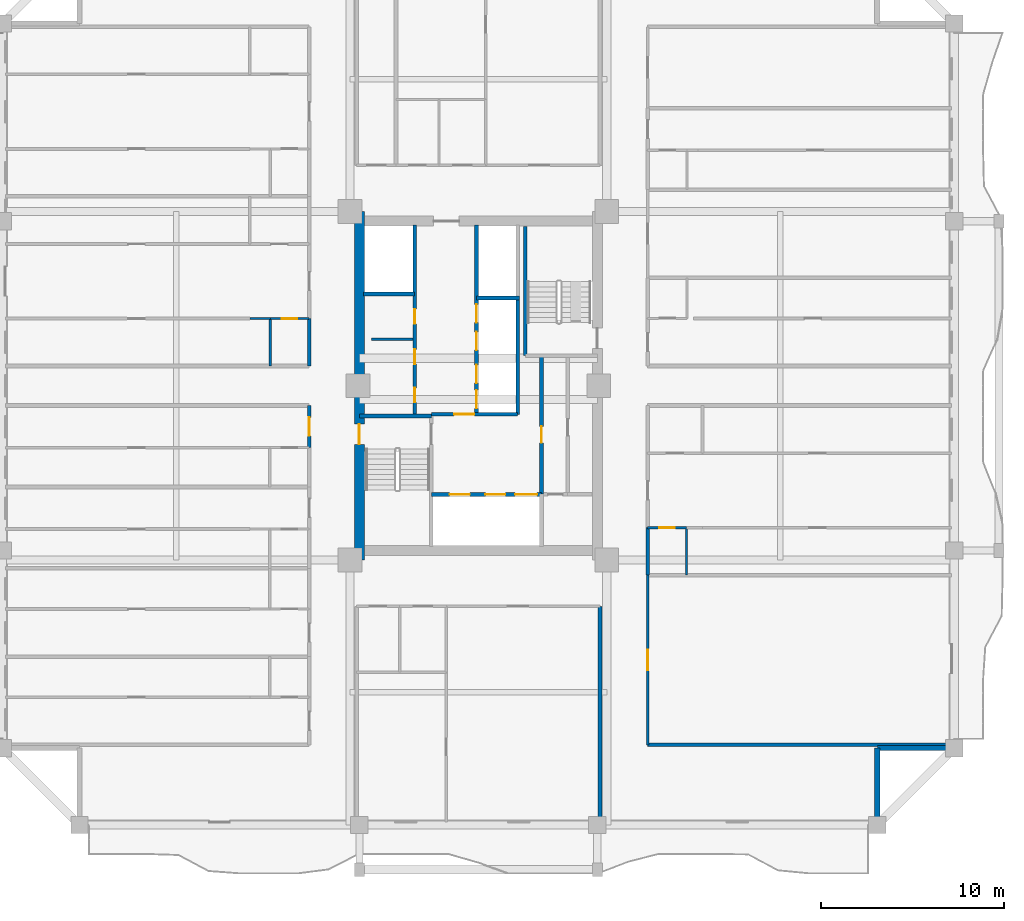
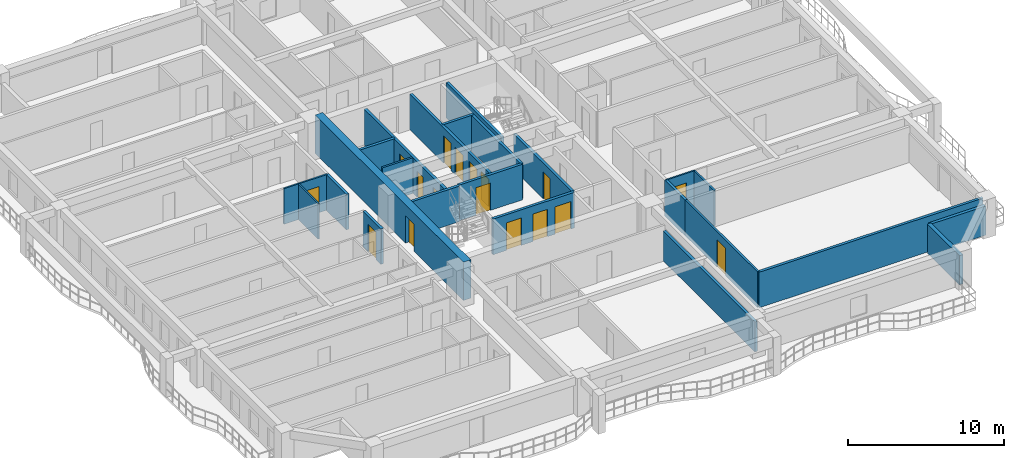
# One storey, part 4 of 13: 25 walls, 17 doors, 17 openings.
"""IFC4 building model written with IfcOpenShell, lengths in metres."""

from ifc_helpers import new_model, si_unit, direction, frame, frame_2d, origin, place, context, subcontext, project, spatial, rectangle, extrude, source, transform, mapped, material, layer, layer_set, type_object, element, fill, save


model = new_model("IFC4")

# Units and contexts
model_context = context("Model", 3, precision=1e-05, world=origin(), true_north=direction((0.0, 1.0)))
body_context = subcontext(model_context, "Body", "Model", "MODEL_VIEW")
ifc_project = project(units=[si_unit("LENGTHUNIT", "METRE"), si_unit("AREAUNIT", "SQUARE_METRE"), si_unit("VOLUMEUNIT", "CUBIC_METRE"), si_unit("PLANEANGLEUNIT", "RADIAN"), si_unit("MASSUNIT", "GRAM", prefix="KILO")], contexts=[model_context])

# Site, building, storey
site_placement = place(None, origin())
site = spatial("IfcSite", under=ifc_project, at=site_placement, CompositionType="ELEMENT")
building_placement = place(site_placement, origin())
building = spatial("IfcBuilding", under=site, at=building_placement, Name="Saelheon Loggia Tower", CompositionType="ELEMENT")
storey_placement = place(building_placement, frame((0.0, 0.0, 129.75)))
storey = spatial("IfcBuildingStorey", under=building, at=storey_placement, Name="L41", CompositionType="ELEMENT", Elevation=129.75)

# Wall, opening, door
ifc_material_1 = material(Name="Concrete C50/60", Category="concrete")
ifc_layer_1 = layer(ifc_material_1, 0.550048828125)
ifc_layer_set_1 = layer_set([ifc_layer_1], Name="Concrete C50/60")
wall_type_1 = type_object("IfcWallType", Name="Wall_CoreShear_550", PredefinedType="SHEAR", material=ifc_layer_set_1)
wall_1_placement = place(storey_placement, frame((31.5, 17.47998046875, 0.0), z_axis=(0.0, 0.0, 1.0), x_axis=(0.0, 1.0, 0.0)))
wall_1 = element("IfcWall", 1, at=wall_1_placement, inside=storey, type_object=wall_type_1, Name="L41 Core Shear Wall West", PredefinedType="SHEAR", context=body_context, shape_type="SweptSolid", body=[
    extrude(rectangle(XDim=19.0400390625, YDim=0.550048828125, at=frame_2d((9.52001953125, 0.0))), origin(), (0.0, 0.0, 1.0), 3.0),
])
opening_1_placement = place(wall_1_placement, frame((6.320068359375, 0.0, 0.0)))
opening_1 = element("IfcOpeningElement", 2, at=opening_1_placement, cuts=wall_1, Name="Opening D-FD2", PredefinedType="OPENING", context=body_context, shape_type="SweptSolid", body=[
    extrude(rectangle(XDim=1.10009765625, YDim=2.14990234375, at=frame_2d((0.550048828125, 1.074951171875))), frame((0.0, 0.287109375, 0.0), z_axis=(0.0, -1.0, 0.0), x_axis=(1.0, 0.0, 0.0)), (0.0, 0.0, 1.0), 0.573974609375),
])
ifc_material_2 = material(Name="Galvanised Steel Fire Door", Category="steel")
door_type_1 = type_object("IfcDoorType", Name="Door_Fire_FD60_1100", OperationType="NOTDEFINED", PredefinedType="DOOR", material=ifc_material_2)
shared_shape_1 = source(origin(), body_context, "Body", "SweptSolid", [
    extrude(rectangle(XDim=1.10009765625, YDim=2.14990234375, at=frame_2d((0.550048828125, 1.074951171875))), frame((0.0, 0.02490234375, 0.0), z_axis=(0.0, -1.0, 0.0), x_axis=(1.0, 0.0, 0.0)), (0.0, 0.0, 1.0), 0.050048828125),
])
door_1_placement = place(opening_1_placement, origin())
door_1 = element("IfcDoor", 3, at=door_1_placement, inside=storey, type_object=door_type_1, Name="L41 Stair ST1 Corridor Door", OperationType="SINGLE_SWING_LEFT", OverallHeight=2.14990234375, OverallWidth=1.10009765625, PredefinedType="DOOR", context=body_context, shape_type="MappedRepresentation", body=[
    mapped(shared_shape_1, transform((0.0, 0.0, 0.0), scale=1.0)),
])
fill(opening_1, door_1)

# Walls
ifc_material_3 = material(Name="Architectural Precast Concrete C40/50", Category="concrete")
ifc_layer_2 = layer(ifc_material_3, 0.280029296875)
ifc_layer_set_2 = layer_set([ifc_layer_2], Name="Architectural Precast Concrete C40/50")
wall_type_2 = type_object("IfcWallType", Name="Wall_Ext_Loggia_280", PredefinedType="SOLIDWALL", material=ifc_layer_set_2)
for number, where, z_axis, x_axis, name in (
    (4, (59.800048828125, 3.080078125, 0.0), (0.0, 0.0, 1.0), (0.0, 1.0, 0.0), "L41 Corner Notch Precast Wall SE1"),
    (5, (59.800048828125, 7.199951171875, 0.0), (0.0, 0.0, 1.0), (1.0, 0.0, 0.0), "L41 Corner Notch Precast Wall SE2"),
):
    element("IfcWall", number, at=place(storey_placement, frame(where, z_axis=z_axis, x_axis=x_axis)), inside=storey, type_object=wall_type_2, Name=name, PredefinedType="SOLIDWALL", context=body_context, shape_type="SweptSolid", body=[
        extrude(rectangle(XDim=4.119873046875, YDim=0.280029296875, at=frame_2d((2.06005859375, 0.0))), origin(), (0.0, 0.0, 1.0), 2.280029296875),
    ])
ifc_material_4 = material(Name="Lightweight Autoclaved Aerated Concrete Block and Acoustic Gypsum", Category="concrete")
ifc_layer_3 = layer(ifc_material_4, 0.14990234375)
ifc_layer_set_3 = layer_set([ifc_layer_3], Name="Lightweight Autoclaved Aerated Concrete Block and Acoustic Gypsum")
wall_type_3 = type_object("IfcWallType", Name="Wall_Part_150", PredefinedType="PARTITIONING", material=ifc_layer_set_3)
wall_2_placement = place(storey_placement, frame((32.14990234375, 29.550048828125, 0.0), z_axis=(0.0, 0.0, 1.0), x_axis=(1.0, 0.0, 0.0)))
element("IfcWall", 6, at=wall_2_placement, inside=storey, type_object=wall_type_3, Name="L41 Freed Core Partition PL1", PredefinedType="PARTITIONING", context=body_context, shape_type="SweptSolid", body=[
    extrude(rectangle(XDim=2.27001953125, YDim=0.14990234375, at=frame_2d((1.135009765625, 0.0))), origin(), (0.0, 0.0, 1.0), 2.7900390625),
])

# Wall, opening, door
wall_3_placement = place(storey_placement, frame((47.25, 7.3798828125, 0.0), z_axis=(0.0, 0.0, 1.0), x_axis=(0.0, 1.0, 0.0)))
wall_3 = element("IfcWall", 7, at=wall_3_placement, inside=storey, type_object=wall_type_3, Name="L41 ES Partition V03", PredefinedType="PARTITIONING", context=body_context, shape_type="SweptSolid", body=[
    extrude(rectangle(XDim=9.27001953125, YDim=0.14990234375, at=frame_2d((4.635009765625, 0.0))), origin(), (0.0, 0.0, 1.0), 2.7900390625),
])
opening_2_placement = place(wall_3_placement, frame((4.0849609375, 0.0, 0.0)))
opening_2 = element("IfcOpeningElement", 8, at=opening_2_placement, cuts=wall_3, Name="Opening D-FD2", PredefinedType="OPENING", context=body_context, shape_type="SweptSolid", body=[
    extrude(rectangle(XDim=1.10009765625, YDim=2.14990234375, at=frame_2d((0.550048828125, 1.074951171875))), frame((0.0, 0.0869140625, 0.0), z_axis=(0.0, -1.0, 0.0), x_axis=(1.0, 0.0, 0.0)), (0.0, 0.0, 1.0), 0.173828125),
])
door_2_placement = place(opening_2_placement, origin())
door_2 = element("IfcDoor", 9, at=door_2_placement, inside=storey, type_object=door_type_1, Name="L41 Resident Seminar and Study Hall Door A", OperationType="SINGLE_SWING_RIGHT", OverallHeight=2.14990234375, OverallWidth=1.10009765625, PredefinedType="DOOR", context=body_context, shape_type="MappedRepresentation", body=[
    mapped(shared_shape_1, transform((0.0, 0.0, 0.0), scale=1.0)),
])
fill(opening_2, door_2)

# Wall
ifc_material_5 = material(Name="Double Acoustic Stud and Fireboard Partition", Category="gypsum")
ifc_layer_4 = layer(ifc_material_5, 0.199951171875)
ifc_layer_set_4 = layer_set([ifc_layer_4], Name="Double Acoustic Stud and Fireboard Partition")
wall_type_4 = type_object("IfcWallType", Name="Wall_Party_200", PredefinedType="PARTITIONING", material=ifc_layer_set_4)
wall_4_placement = place(storey_placement, frame((44.64990234375, 14.949951171875, 0.0), z_axis=(0.0, 0.0, 1.0), x_axis=(0.0, -1.0, 0.0)))
element("IfcWall", 10, at=wall_4_placement, inside=storey, type_object=wall_type_4, Name="L41 S Partition U02", PredefinedType="PARTITIONING", context=body_context, shape_type="SweptSolid", body=[
    extrude(rectangle(XDim=11.800048828125, YDim=0.199951171875, at=frame_2d((5.89990234375, 0.0))), origin(), (0.0, 0.0, 1.0), 2.340087890625),
])

# Wall, opening, door
wall_5_placement = place(storey_placement, frame((28.75, 23.620361328125, 0.0), z_axis=(0.0, 0.0, 1.0), x_axis=(0.0, 1.0, 0.0)))
wall_5 = element("IfcWall", 11, at=wall_5_placement, inside=storey, type_object=wall_type_4, Name="L41 WS Partition V25", PredefinedType="PARTITIONING", context=body_context, shape_type="SweptSolid", body=[
    extrude(rectangle(XDim=2.299560546875, YDim=0.199951171875, at=frame_2d((1.14990234375, 0.0))), origin(), (0.0, 0.0, 1.0), 2.7900390625),
])
opening_3_placement = place(wall_5_placement, frame((0.64990234375, 0.0, 0.0)))
opening_3 = element("IfcOpeningElement", 12, at=opening_3_placement, cuts=wall_5, Name="Opening D-FD1", PredefinedType="OPENING", context=body_context, shape_type="SweptSolid", body=[
    extrude(rectangle(XDim=1.0, YDim=2.14990234375, at=frame_2d((0.5, 1.074951171875))), frame((0.0, 0.112060546875, 0.0), z_axis=(0.0, -1.0, 0.0), x_axis=(1.0, 0.0, 0.0)), (0.0, 0.0, 1.0), 0.223876953125),
])
ifc_material_6 = material(Name="Fire-Rated Engineered Timber Entrance Door", Category="wood")
door_type_2 = type_object("IfcDoorType", Name="Door_Flat_FD30S", OperationType="NOTDEFINED", PredefinedType="DOOR", material=ifc_material_6)
shared_shape_2 = source(origin(), body_context, "Body", "SweptSolid", [
    extrude(rectangle(XDim=1.0, YDim=2.14990234375, at=frame_2d((0.5, 1.074951171875))), frame((0.0, 0.02490234375, 0.0), z_axis=(0.0, -1.0, 0.0), x_axis=(1.0, 0.0, 0.0)), (0.0, 0.0, 1.0), 0.050048828125),
])
door_3_placement = place(opening_3_placement, origin())
door_3 = element("IfcDoor", 13, at=door_3_placement, inside=storey, type_object=door_type_2, Name="Unit U04 Entrance Door", OperationType="SINGLE_SWING_LEFT", OverallHeight=2.14990234375, OverallWidth=1.0, PredefinedType="DOOR", context=body_context, shape_type="MappedRepresentation", body=[
    mapped(shared_shape_2, transform((0.0, 0.0, 0.0), scale=1.0)),
])
fill(opening_3, door_3)

# Walls
wall_6_placement = place(storey_placement, frame((28.75, 28.080078125, 0.0), z_axis=(0.0, 0.0, 1.0), x_axis=(0.0, 1.0, 0.0)))
element("IfcWall", 14, at=wall_6_placement, inside=storey, type_object=wall_type_4, Name="L41 WN Partition V03", PredefinedType="PARTITIONING", context=body_context, shape_type="SweptSolid", body=[
    extrude(rectangle(XDim=2.595458984375, YDim=0.199951171875, at=frame_2d((1.2978515625, 0.0))), origin(), (0.0, 0.0, 1.0), 2.7900390625),
])
wall_7_placement = place(storey_placement, frame((47.25, 7.3798828125, 0.0), z_axis=(0.0, 0.0, 1.0), x_axis=(1.0, 0.0, 0.0)))
element("IfcWall", 15, at=wall_7_placement, inside=storey, type_object=wall_type_4, Name="L41 ES Partition U01", PredefinedType="PARTITIONING", context=body_context, shape_type="SweptSolid", body=[
    extrude(rectangle(XDim=16.60009765625, YDim=0.199951171875, at=frame_2d((8.300048828125, 0.0))), origin(), (0.0, 0.0, 1.0), 2.7900390625),
])
wall_8_placement = place(storey_placement, frame((47.25, 16.64990234375, 0.0), z_axis=(0.0, 0.0, 1.0), x_axis=(0.0, 1.0, 0.0)))
element("IfcWall", 16, at=wall_8_placement, inside=storey, type_object=wall_type_4, Name="L41 ES Partition V05", PredefinedType="PARTITIONING", context=body_context, shape_type="SweptSolid", body=[
    extrude(rectangle(XDim=2.595703125, YDim=0.199951171875, at=frame_2d((1.2978515625, 0.0))), origin(), (0.0, 0.0, 1.0), 2.7900390625),
])

# Wall, opening, door
ifc_material_7 = material(Name="Concrete C40/50", Category="concrete")
ifc_layer_5 = layer(ifc_material_7, 0.199951171875)
ifc_layer_set_5 = layer_set([ifc_layer_5], Name="Concrete C40/50")
wall_type_5 = type_object("IfcWallType", Name="Wall_Shaft_200", PredefinedType="PARTITIONING", material=ifc_layer_set_5)
wall_9_placement = place(storey_placement, frame((41.449951171875, 21.080078125, 0.0), z_axis=(0.0, 0.0, 1.0), x_axis=(0.0, 1.0, 0.0)))
wall_9 = element("IfcWall", 17, at=wall_9_placement, inside=storey, type_object=wall_type_5, Name="CW-INT-L41-BOH-W1", PredefinedType="PARTITIONING", context=body_context, shape_type="SweptSolid", body=[
    extrude(rectangle(XDim=7.52001953125, YDim=0.199951171875, at=frame_2d((3.760009765625, 0.0))), origin(), (0.0, 0.0, 1.0), 2.7900390625),
])
opening_4_placement = place(wall_9_placement, frame((2.800048828125, 0.0, 0.0)))
opening_4 = element("IfcOpeningElement", 18, at=opening_4_placement, cuts=wall_9, Name="Opening D-RS1", PredefinedType="OPENING", context=body_context, shape_type="SweptSolid", body=[
    extrude(rectangle(XDim=0.89990234375, YDim=2.10009765625, at=frame_2d((0.449951171875, 1.050048828125))), frame((0.0, 0.112060546875, 0.0), z_axis=(0.0, -1.0, 0.0), x_axis=(1.0, 0.0, 0.0)), (0.0, 0.0, 1.0), 0.223876953125),
])
ifc_material_8 = material(Name="Galvanised Steel Riser Access Door", Category="steel")
door_type_3 = type_object("IfcDoorType", Name="Door_Riser_FD60", OperationType="NOTDEFINED", PredefinedType="DOOR", material=ifc_material_8)
shared_shape_3 = source(origin(), body_context, "Body", "SweptSolid", [
    extrude(rectangle(XDim=0.89990234375, YDim=2.10009765625, at=frame_2d((0.449951171875, 1.050048828125))), frame((0.0, 0.02490234375, 0.0), z_axis=(0.0, -1.0, 0.0), x_axis=(1.0, 0.0, 0.0)), (0.0, 0.0, 1.0), 0.050048828125),
])
door_4_placement = place(opening_4_placement, origin())
door_4 = element("IfcDoor", 19, at=door_4_placement, inside=storey, type_object=door_type_3, Name="L41 Service Store Door", OperationType="SINGLE_SWING_LEFT", OverallHeight=2.10009765625, OverallWidth=0.89990234375, PredefinedType="DOOR", context=body_context, shape_type="MappedRepresentation", body=[
    mapped(shared_shape_3, transform((0.0, 0.0, 0.0), scale=1.0)),
])
fill(opening_4, door_4)

# Wall
wall_10_placement = place(storey_placement, frame((40.14990234375, 25.43994140625, 0.0), z_axis=(0.0, 0.0, 1.0), x_axis=(0.0, 1.0, 0.0)))
element("IfcWall", 20, at=wall_10_placement, inside=storey, type_object=wall_type_5, Name="L41 Core Service Passage West Wall", PredefinedType="PARTITIONING", context=body_context, shape_type="SweptSolid", body=[
    extrude(rectangle(XDim=6.360107421875, YDim=0.199951171875, at=frame_2d((3.18017578125, 0.0))), origin(), (0.0, 0.0, 1.0), 2.7900390625),
])

# Wall, openings, doors
wall_11_placement = place(storey_placement, frame((35.429931640625, 21.06005859375, 0.0), z_axis=(0.0, 0.0, 1.0), x_axis=(1.0, 0.0, 0.0)))
wall_11 = element("IfcWall", 21, at=wall_11_placement, inside=storey, type_object=wall_type_5, Name="L41 Firefighting Lift Shaft Front Wall", PredefinedType="PARTITIONING", context=body_context, shape_type="SweptSolid", body=[
    extrude(rectangle(XDim=6.02001953125, YDim=0.199951171875, at=frame_2d((3.010009765625, 0.0))), origin(), (0.0, 0.0, 1.0), 2.7900390625),
])
opening_5_placement = place(wall_11_placement, frame((1.0, 0.0, 0.0)))
opening_5 = element("IfcOpeningElement", 22, at=opening_5_placement, cuts=wall_11, Name="Opening LD2", PredefinedType="OPENING", context=body_context, shape_type="SweptSolid", body=[
    extrude(rectangle(XDim=1.10009765625, YDim=2.14990234375, at=frame_2d((0.550048828125, 1.074951171875))), frame((0.0, 0.112060546875, 0.0), z_axis=(0.0, -1.0, 0.0), x_axis=(1.0, 0.0, 0.0)), (0.0, 0.0, 1.0), 0.223876953125),
])
opening_6_placement = place(wall_11_placement, frame((2.949951171875, 0.0, 0.0)))
opening_6 = element("IfcOpeningElement", 23, at=opening_6_placement, cuts=wall_11, Name="Opening LD2", PredefinedType="OPENING", context=body_context, shape_type="SweptSolid", body=[
    extrude(rectangle(XDim=1.10009765625, YDim=2.14990234375, at=frame_2d((0.550048828125, 1.074951171875))), frame((0.0, 0.112060546875, 0.0), z_axis=(0.0, -1.0, 0.0), x_axis=(1.0, 0.0, 0.0)), (0.0, 0.0, 1.0), 0.223876953125),
])
opening_7_placement = place(wall_11_placement, frame((4.580078125, 0.0, 0.0)))
opening_7 = element("IfcOpeningElement", 24, at=opening_7_placement, cuts=wall_11, Name="Opening LD3", PredefinedType="OPENING", context=body_context, shape_type="SweptSolid", body=[
    extrude(rectangle(XDim=1.199951171875, YDim=2.14990234375, at=frame_2d((0.60009765625, 1.074951171875))), frame((0.0, 0.112060546875, 0.0), z_axis=(0.0, -1.0, 0.0), x_axis=(1.0, 0.0, 0.0)), (0.0, 0.0, 1.0), 0.223876953125),
])
ifc_material_9 = material(Name="Firefighting Stainless Steel 316 Landing Door", Category="steel")
door_type_4 = type_object("IfcDoorType", Name="Door_Lift_LD2", OperationType="DOUBLE_DOOR_SLIDING", PredefinedType="DOOR", material=ifc_material_9)
door_5_placement = place(opening_5_placement, origin())
door_5 = element("IfcDoor", 25, at=door_5_placement, inside=storey, type_object=door_type_4, Name="L41 FF1 Landing Door", OperationType="DOUBLE_DOOR_SLIDING", OverallHeight=2.14990234375, OverallWidth=1.10009765625, PredefinedType="DOOR", context=body_context, shape_type="MappedRepresentation", body=[
    mapped(shared_shape_1, transform((0.0, 0.0, 0.0), scale=1.0)),
])
fill(opening_5, door_5)
door_6_placement = place(opening_6_placement, origin())
door_6 = element("IfcDoor", 26, at=door_6_placement, inside=storey, type_object=door_type_4, Name="L41 FF2 Landing Door", OperationType="DOUBLE_DOOR_SLIDING", OverallHeight=2.14990234375, OverallWidth=1.10009765625, PredefinedType="DOOR", context=body_context, shape_type="MappedRepresentation", body=[
    mapped(shared_shape_1, transform((0.0, 0.0, 0.0), scale=1.0)),
])
fill(opening_6, door_6)
ifc_material_10 = material(Name="Stretcher Lift Stainless Steel 304 Landing Door", Category="steel")
door_type_5 = type_object("IfcDoorType", Name="Door_Lift_LD3", OperationType="DOUBLE_DOOR_SLIDING", PredefinedType="DOOR", material=ifc_material_10)
shared_shape_4 = source(origin(), body_context, "Body", "SweptSolid", [
    extrude(rectangle(XDim=1.199951171875, YDim=2.14990234375, at=frame_2d((0.60009765625, 1.074951171875))), frame((0.0, 0.02490234375, 0.0), z_axis=(0.0, -1.0, 0.0), x_axis=(1.0, 0.0, 0.0)), (0.0, 0.0, 1.0), 0.050048828125),
])
door_7_placement = place(opening_7_placement, origin())
door_7 = element("IfcDoor", 27, at=door_7_placement, inside=storey, type_object=door_type_5, Name="L41 SV1 Landing Door", OperationType="DOUBLE_DOOR_SLIDING", OverallHeight=2.14990234375, OverallWidth=1.199951171875, PredefinedType="DOOR", context=body_context, shape_type="MappedRepresentation", body=[
    mapped(shared_shape_4, transform((0.0, 0.0, 0.0), scale=1.0)),
])
fill(opening_7, door_7)

# Wall, opening, door
wall_12_placement = place(storey_placement, frame((35.429931640625, 25.43994140625, 0.0), z_axis=(0.0, 0.0, 1.0), x_axis=(1.0, 0.0, 0.0)))
wall_12 = element("IfcWall", 28, at=wall_12_placement, inside=storey, type_object=wall_type_5, Name="L41 Firefighting Lobby Compartment Wall", PredefinedType="PARTITIONING", context=body_context, shape_type="SweptSolid", body=[
    extrude(rectangle(XDim=4.719970703125, YDim=0.199951171875, at=frame_2d((2.35986328125, 0.0))), origin(), (0.0, 0.0, 1.0), 2.7900390625),
])
opening_8_placement = place(wall_12_placement, frame((1.25, 0.0, 0.0)))
opening_8 = element("IfcOpeningElement", 29, at=opening_8_placement, cuts=wall_12, Name="Opening D-FD2", PredefinedType="OPENING", context=body_context, shape_type="SweptSolid", body=[
    extrude(rectangle(XDim=1.10009765625, YDim=2.14990234375, at=frame_2d((0.550048828125, 1.074951171875))), frame((0.0, 0.112060546875, 0.0), z_axis=(0.0, -1.0, 0.0), x_axis=(1.0, 0.0, 0.0)), (0.0, 0.0, 1.0), 0.223876953125),
])
door_8_placement = place(opening_8_placement, origin())
door_8 = element("IfcDoor", 30, at=door_8_placement, inside=storey, type_object=door_type_1, Name="L41 Firefighting Lobby Door", OperationType="SINGLE_SWING_RIGHT", OverallHeight=2.14990234375, OverallWidth=1.10009765625, PredefinedType="DOOR", context=body_context, shape_type="MappedRepresentation", body=[
    mapped(shared_shape_1, transform((0.0, 0.0, 0.0), scale=1.0)),
])
fill(opening_8, door_8)

# Wall, openings, doors
wall_13_placement = place(storey_placement, frame((34.52001953125, 25.43994140625, 0.0), z_axis=(0.0, 0.0, 1.0), x_axis=(0.0, 1.0, 0.0)))
wall_13 = element("IfcWall", 31, at=wall_13_placement, inside=storey, type_object=wall_type_5, Name="L41 West Passenger Lift Bank Wall", PredefinedType="PARTITIONING", context=body_context, shape_type="SweptSolid", body=[
    extrude(rectangle(XDim=10.340087890625, YDim=0.199951171875, at=frame_2d((5.169921875, 0.0))), origin(), (0.0, 0.0, 1.0), 2.7900390625),
])
opening_9_placement = place(wall_13_placement, frame((0.64990234375, 0.0, 0.0)))
opening_9 = element("IfcOpeningElement", 32, at=opening_9_placement, cuts=wall_13, Name="Opening D-ST1", PredefinedType="OPENING", context=body_context, shape_type="SweptSolid", body=[
    extrude(rectangle(XDim=0.800048828125, YDim=2.050048828125, at=frame_2d((0.39990234375, 1.02490234375))), frame((0.0, 0.112060546875, 0.0), z_axis=(0.0, -1.0, 0.0), x_axis=(1.0, 0.0, 0.0)), (0.0, 0.0, 1.0), 0.223876953125),
])
opening_10_placement = place(wall_13_placement, frame((2.75, 0.0, 0.0)))
opening_10 = element("IfcOpeningElement", 33, at=opening_10_placement, cuts=wall_13, Name="Opening D-ST1", PredefinedType="OPENING", context=body_context, shape_type="SweptSolid", body=[
    extrude(rectangle(XDim=0.800048828125, YDim=2.050048828125, at=frame_2d((0.39990234375, 1.02490234375))), frame((0.0, 0.112060546875, 0.0), z_axis=(0.0, -1.0, 0.0), x_axis=(1.0, 0.0, 0.0)), (0.0, 0.0, 1.0), 0.223876953125),
])
opening_11_placement = place(wall_13_placement, frame((4.949951171875, 0.0, 0.0)))
opening_11 = element("IfcOpeningElement", 34, at=opening_11_placement, cuts=wall_13, Name="Opening D-ST1", PredefinedType="OPENING", context=body_context, shape_type="SweptSolid", body=[
    extrude(rectangle(XDim=0.800048828125, YDim=2.050048828125, at=frame_2d((0.39990234375, 1.02490234375))), frame((0.0, 0.112060546875, 0.0), z_axis=(0.0, -1.0, 0.0), x_axis=(1.0, 0.0, 0.0)), (0.0, 0.0, 1.0), 0.223876953125),
])
ifc_material_11 = material(Name="Powder-Coated Steel Store Door", Category="steel")
door_type_6 = type_object("IfcDoorType", Name="Door_Store_800", OperationType="NOTDEFINED", PredefinedType="DOOR", material=ifc_material_11)
shared_shape_5 = source(origin(), body_context, "Body", "SweptSolid", [
    extrude(rectangle(XDim=0.800048828125, YDim=2.050048828125, at=frame_2d((0.39990234375, 1.02490234375))), frame((0.0, 0.02490234375, 0.0), z_axis=(0.0, -1.0, 0.0), x_axis=(1.0, 0.0, 0.0)), (0.0, 0.0, 1.0), 0.050048828125),
])
door_9_placement = place(opening_9_placement, origin())
door_9 = element("IfcDoor", 35, at=door_9_placement, inside=storey, type_object=door_type_6, Name="L41 Telecom Store Door", OperationType="SINGLE_SWING_RIGHT", OverallHeight=2.050048828125, OverallWidth=0.800048828125, PredefinedType="DOOR", context=body_context, shape_type="MappedRepresentation", body=[
    mapped(shared_shape_5, transform((0.0, 0.0, 0.0), scale=1.0)),
])
fill(opening_9, door_9)
door_10_placement = place(opening_10_placement, origin())
door_10 = element("IfcDoor", 36, at=door_10_placement, inside=storey, type_object=door_type_6, Name="L41 Linen Closet Door", OperationType="SINGLE_SWING_LEFT", OverallHeight=2.050048828125, OverallWidth=0.800048828125, PredefinedType="DOOR", context=body_context, shape_type="MappedRepresentation", body=[
    mapped(shared_shape_5, transform((0.0, 0.0, 0.0), scale=1.0)),
])
fill(opening_10, door_10)
door_11_placement = place(opening_11_placement, origin())
door_11 = element("IfcDoor", 37, at=door_11_placement, inside=storey, type_object=door_type_6, Name="L41 Metering Store Door", OperationType="SINGLE_SWING_RIGHT", OverallHeight=2.050048828125, OverallWidth=0.800048828125, PredefinedType="DOOR", context=body_context, shape_type="MappedRepresentation", body=[
    mapped(shared_shape_5, transform((0.0, 0.0, 0.0), scale=1.0)),
])
fill(opening_11, door_11)

# Wall
wall_14_placement = place(storey_placement, frame((31.719970703125, 32.02001953125, 0.0), z_axis=(0.0, 0.0, 1.0), x_axis=(1.0, 0.0, 0.0)))
element("IfcWall", 38, at=wall_14_placement, inside=storey, type_object=wall_type_5, Name="L41 West High-Rise Shaft Divider", PredefinedType="PARTITIONING", context=body_context, shape_type="SweptSolid", body=[
    extrude(rectangle(XDim=2.800048828125, YDim=0.199951171875, at=frame_2d((1.39990234375, 0.0))), origin(), (0.0, 0.0, 1.0), 2.7900390625),
])

# Wall, openings, doors
wall_15_placement = place(storey_placement, frame((37.89990234375, 25.43994140625, 0.0), z_axis=(0.0, 0.0, 1.0), x_axis=(0.0, 1.0, 0.0)))
wall_15 = element("IfcWall", 39, at=wall_15_placement, inside=storey, type_object=wall_type_5, Name="L41 East Passenger Lift Bank Wall", PredefinedType="PARTITIONING", context=body_context, shape_type="SweptSolid", body=[
    extrude(rectangle(XDim=10.340087890625, YDim=0.199951171875, at=frame_2d((5.169921875, 0.0))), origin(), (0.0, 0.0, 1.0), 2.7900390625),
])
opening_12_placement = place(wall_15_placement, frame((0.320068359375, 0.0, 0.0)))
opening_12 = element("IfcOpeningElement", 40, at=opening_12_placement, cuts=wall_15, Name="Opening LD1", PredefinedType="OPENING", context=body_context, shape_type="SweptSolid", body=[
    extrude(rectangle(XDim=1.0, YDim=2.14990234375, at=frame_2d((0.5, 1.074951171875))), frame((0.0, 0.112060546875, 0.0), z_axis=(0.0, -1.0, 0.0), x_axis=(1.0, 0.0, 0.0)), (0.0, 0.0, 1.0), 0.223876953125),
])
opening_13_placement = place(wall_15_placement, frame((1.7099609375, 0.0, 0.0)))
opening_13 = element("IfcOpeningElement", 41, at=opening_13_placement, cuts=wall_15, Name="Opening LD1", PredefinedType="OPENING", context=body_context, shape_type="SweptSolid", body=[
    extrude(rectangle(XDim=1.0, YDim=2.14990234375, at=frame_2d((0.5, 1.074951171875))), frame((0.0, 0.112060546875, 0.0), z_axis=(0.0, -1.0, 0.0), x_axis=(1.0, 0.0, 0.0)), (0.0, 0.0, 1.0), 0.223876953125),
])
opening_14_placement = place(wall_15_placement, frame((3.510009765625, 0.0, 0.0)))
opening_14 = element("IfcOpeningElement", 42, at=opening_14_placement, cuts=wall_15, Name="Opening LD1", PredefinedType="OPENING", context=body_context, shape_type="SweptSolid", body=[
    extrude(rectangle(XDim=1.0, YDim=2.14990234375, at=frame_2d((0.5, 1.074951171875))), frame((0.0, 0.112060546875, 0.0), z_axis=(0.0, -1.0, 0.0), x_axis=(1.0, 0.0, 0.0)), (0.0, 0.0, 1.0), 0.223876953125),
])
opening_15_placement = place(wall_15_placement, frame((5.010009765625, 0.0, 0.0)))
opening_15 = element("IfcOpeningElement", 43, at=opening_15_placement, cuts=wall_15, Name="Opening LD1", PredefinedType="OPENING", context=body_context, shape_type="SweptSolid", body=[
    extrude(rectangle(XDim=1.0, YDim=2.14990234375, at=frame_2d((0.5, 1.074951171875))), frame((0.0, 0.112060546875, 0.0), z_axis=(0.0, -1.0, 0.0), x_axis=(1.0, 0.0, 0.0)), (0.0, 0.0, 1.0), 0.223876953125),
])
ifc_material_12 = material(Name="Brushed Stainless Steel 304 Landing Door", Category="steel")
door_type_7 = type_object("IfcDoorType", Name="Door_Lift_LD1", OperationType="DOUBLE_DOOR_SLIDING", PredefinedType="DOOR", material=ifc_material_12)
door_12_placement = place(opening_12_placement, origin())
door_12 = element("IfcDoor", 44, at=door_12_placement, inside=storey, type_object=door_type_7, Name="L41 PM1 Landing Door", OperationType="DOUBLE_DOOR_SLIDING", OverallHeight=2.14990234375, OverallWidth=1.0, PredefinedType="DOOR", context=body_context, shape_type="MappedRepresentation", body=[
    mapped(shared_shape_2, transform((0.0, 0.0, 0.0), scale=1.0)),
])
fill(opening_12, door_12)
door_13_placement = place(opening_13_placement, origin())
door_13 = element("IfcDoor", 45, at=door_13_placement, inside=storey, type_object=door_type_7, Name="L41 PM2 Landing Door", OperationType="DOUBLE_DOOR_SLIDING", OverallHeight=2.14990234375, OverallWidth=1.0, PredefinedType="DOOR", context=body_context, shape_type="MappedRepresentation", body=[
    mapped(shared_shape_2, transform((0.0, 0.0, 0.0), scale=1.0)),
])
fill(opening_13, door_13)
door_14_placement = place(opening_14_placement, origin())
door_14 = element("IfcDoor", 46, at=door_14_placement, inside=storey, type_object=door_type_7, Name="L41 PM3 Landing Door", OperationType="DOUBLE_DOOR_SLIDING", OverallHeight=2.14990234375, OverallWidth=1.0, PredefinedType="DOOR", context=body_context, shape_type="MappedRepresentation", body=[
    mapped(shared_shape_2, transform((0.0, 0.0, 0.0), scale=1.0)),
])
fill(opening_14, door_14)
door_15_placement = place(opening_15_placement, origin())
door_15 = element("IfcDoor", 47, at=door_15_placement, inside=storey, type_object=door_type_7, Name="L41 PM4 Landing Door", OperationType="DOUBLE_DOOR_SLIDING", OverallHeight=2.14990234375, OverallWidth=1.0, PredefinedType="DOOR", context=body_context, shape_type="MappedRepresentation", body=[
    mapped(shared_shape_2, transform((0.0, 0.0, 0.0), scale=1.0)),
])
fill(opening_15, door_15)

# Walls
wall_16_placement = place(storey_placement, frame((37.89990234375, 31.800048828125, 0.0), z_axis=(0.0, 0.0, 1.0), x_axis=(1.0, 0.0, 0.0)))
element("IfcWall", 48, at=wall_16_placement, inside=storey, type_object=wall_type_5, Name="L41 East High-Rise Shaft Divider", PredefinedType="PARTITIONING", context=body_context, shape_type="SweptSolid", body=[
    extrude(rectangle(XDim=2.35009765625, YDim=0.199951171875, at=frame_2d((1.175048828125, 0.0))), origin(), (0.0, 0.0, 1.0), 2.7900390625),
])
ifc_material_13 = material(Name="Concrete C45/55", Category="concrete")
ifc_layer_6 = layer(ifc_material_13, 0.199951171875)
ifc_layer_set_6 = layer_set([ifc_layer_6], Name="Concrete C45/55")
wall_type_6 = type_object("IfcWallType", Name="Wall_StairShaft_RC200", PredefinedType="SOLIDWALL", material=ifc_layer_set_6)
wall_17_placement = place(storey_placement, frame((31.5, 25.35009765625, 0.0), z_axis=(0.0, 0.0, 1.0), x_axis=(1.0, 0.0, 0.0)))
element("IfcWall", 49, at=wall_17_placement, inside=storey, type_object=wall_type_6, Name="L41 Stair ST1 North Wall", PredefinedType="SOLIDWALL", context=body_context, shape_type="SweptSolid", body=[
    extrude(rectangle(XDim=3.929931640625, YDim=0.199951171875, at=frame_2d((1.96484375, 0.0))), origin(), (0.0, 0.0, 1.0), 2.7900390625),
])
wall_18_placement = place(storey_placement, frame((40.570068359375, 28.64990234375, 0.0), z_axis=(0.0, 0.0, 1.0), x_axis=(0.0, 1.0, 0.0)))
element("IfcWall", 50, at=wall_18_placement, inside=storey, type_object=wall_type_6, Name="L41 Stair ST2 Shaft Wall", PredefinedType="SOLIDWALL", context=body_context, shape_type="SweptSolid", body=[
    extrude(rectangle(XDim=7.050048828125, YDim=0.199951171875, at=frame_2d((3.52490234375, 0.0))), origin(), (0.0, 0.0, 1.0), 2.7900390625),
])
ifc_material_14 = material(Name="Moisture-Resistant Cement Board Partition", Category="gypsum")
ifc_layer_7 = layer(ifc_material_14, 0.1201171875)
ifc_layer_set_7 = layer_set([ifc_layer_7], Name="Moisture-Resistant Cement Board Partition")
wall_type_7 = type_object("IfcWallType", Name="Wall_WetPart_120", PredefinedType="PARTITIONING", material=ifc_layer_set_7)
wall_19_placement = place(storey_placement, frame((26.6298828125, 28.080078125, 0.0), z_axis=(0.0, 0.0, 1.0), x_axis=(0.0, 1.0, 0.0)))
element("IfcWall", 51, at=wall_19_placement, inside=storey, type_object=wall_type_7, Name="L41 WN Partition V06", PredefinedType="PARTITIONING", context=body_context, shape_type="SweptSolid", body=[
    extrude(rectangle(XDim=2.595458984375, YDim=0.1201171875, at=frame_2d((1.2978515625, 0.0))), origin(), (0.0, 0.0, 1.0), 2.7900390625),
])

# Wall, opening, door
wall_20_placement = place(storey_placement, frame((28.75, 30.675537109375, 0.0), z_axis=(0.0, 0.0, 1.0), x_axis=(-1.0, 0.0, 0.0)))
wall_20 = element("IfcWall", 52, at=wall_20_placement, inside=storey, type_object=wall_type_7, Name="L41 WN Partition U08", PredefinedType="PARTITIONING", context=body_context, shape_type="SweptSolid", body=[
    extrude(rectangle(XDim=2.1201171875, YDim=0.1201171875, at=frame_2d((1.06005859375, 0.0))), origin(), (0.0, 0.0, 1.0), 2.7900390625),
])
opening_16_placement = place(wall_20_placement, frame((0.635009765625, 0.0, 0.0)))
opening_16 = element("IfcOpeningElement", 53, at=opening_16_placement, cuts=wall_20, Name="Opening D-BT1", PredefinedType="OPENING", context=body_context, shape_type="SweptSolid", body=[
    extrude(rectangle(XDim=0.85009765625, YDim=2.050048828125, at=frame_2d((0.425048828125, 1.02490234375))), frame((0.0, 0.072021484375, 0.0), z_axis=(0.0, -1.0, 0.0), x_axis=(1.0, 0.0, 0.0)), (0.0, 0.0, 1.0), 0.14404296875),
])
ifc_material_15 = material(Name="Moisture-Resistant Laminate Timber Door", Category="wood")
door_type_8 = type_object("IfcDoorType", Name="Door_Bath_850", OperationType="NOTDEFINED", PredefinedType="DOOR", material=ifc_material_15)
shared_shape_6 = source(origin(), body_context, "Body", "SweptSolid", [
    extrude(rectangle(XDim=0.85009765625, YDim=2.050048828125, at=frame_2d((0.425048828125, 1.02490234375))), frame((0.0, 0.02490234375, 0.0), z_axis=(0.0, -1.0, 0.0), x_axis=(1.0, 0.0, 0.0)), (0.0, 0.0, 1.0), 0.050048828125),
])
door_16_placement = place(opening_16_placement, origin())
door_16 = element("IfcDoor", 54, at=door_16_placement, inside=storey, type_object=door_type_8, Name="Unit U05 Bathroom Door", OperationType="SINGLE_SWING_LEFT", OverallHeight=2.050048828125, OverallWidth=0.85009765625, PredefinedType="DOOR", context=body_context, shape_type="MappedRepresentation", body=[
    mapped(shared_shape_6, transform((0.0, 0.0, 0.0), scale=1.0)),
])
fill(opening_16, door_16)

# Walls
wall_21_placement = place(storey_placement, frame((26.6298828125, 30.675537109375, 0.0), z_axis=(0.0, 0.0, 1.0), x_axis=(-1.0, 0.0, 0.0)))
element("IfcWall", 55, at=wall_21_placement, inside=storey, type_object=wall_type_7, Name="L41 WN Partition U09", PredefinedType="PARTITIONING", context=body_context, shape_type="SweptSolid", body=[
    extrude(rectangle(XDim=1.119873046875, YDim=0.1201171875, at=frame_2d((0.56005859375, 0.0))), origin(), (0.0, 0.0, 1.0), 2.7900390625),
])
wall_22_placement = place(storey_placement, frame((49.3701171875, 16.64990234375, 0.0), z_axis=(0.0, 0.0, 1.0), x_axis=(0.0, 1.0, 0.0)))
element("IfcWall", 56, at=wall_22_placement, inside=storey, type_object=wall_type_7, Name="L41 ES Partition V08", PredefinedType="PARTITIONING", context=body_context, shape_type="SweptSolid", body=[
    extrude(rectangle(XDim=2.595703125, YDim=0.1201171875, at=frame_2d((1.2978515625, 0.0))), origin(), (0.0, 0.0, 1.0), 2.7900390625),
])

# Wall, opening, door
wall_23_placement = place(storey_placement, frame((47.25, 19.24560546875, 0.0), z_axis=(0.0, 0.0, 1.0), x_axis=(1.0, 0.0, 0.0)))
wall_23 = element("IfcWall", 57, at=wall_23_placement, inside=storey, type_object=wall_type_7, Name="L41 ES Partition U10", PredefinedType="PARTITIONING", context=body_context, shape_type="SweptSolid", body=[
    extrude(rectangle(XDim=2.1201171875, YDim=0.1201171875, at=frame_2d((1.06005859375, 0.0))), origin(), (0.0, 0.0, 1.0), 2.7900390625),
])
opening_17_placement = place(wall_23_placement, frame((0.635009765625, 0.0, 0.0)))
opening_17 = element("IfcOpeningElement", 58, at=opening_17_placement, cuts=wall_23, Name="Opening D-BT1", PredefinedType="OPENING", context=body_context, shape_type="SweptSolid", body=[
    extrude(rectangle(XDim=0.85009765625, YDim=2.050048828125, at=frame_2d((0.425048828125, 1.02490234375))), frame((0.0, 0.072021484375, 0.0), z_axis=(0.0, -1.0, 0.0), x_axis=(1.0, 0.0, 0.0)), (0.0, 0.0, 1.0), 0.14404296875),
])
door_17_placement = place(opening_17_placement, origin())
door_17 = element("IfcDoor", 59, at=door_17_placement, inside=storey, type_object=door_type_8, Name="Unit U07 Bathroom Door", OperationType="SINGLE_SWING_RIGHT", OverallHeight=2.050048828125, OverallWidth=0.85009765625, PredefinedType="DOOR", context=body_context, shape_type="MappedRepresentation", body=[
    mapped(shared_shape_6, transform((0.0, 0.0, 0.0), scale=1.0)),
])
fill(opening_17, door_17)

save(model, "model.ifc")
